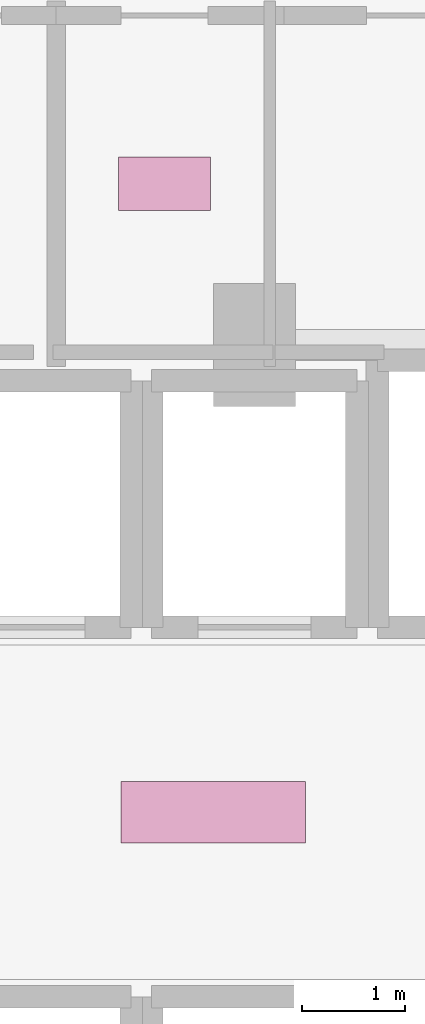
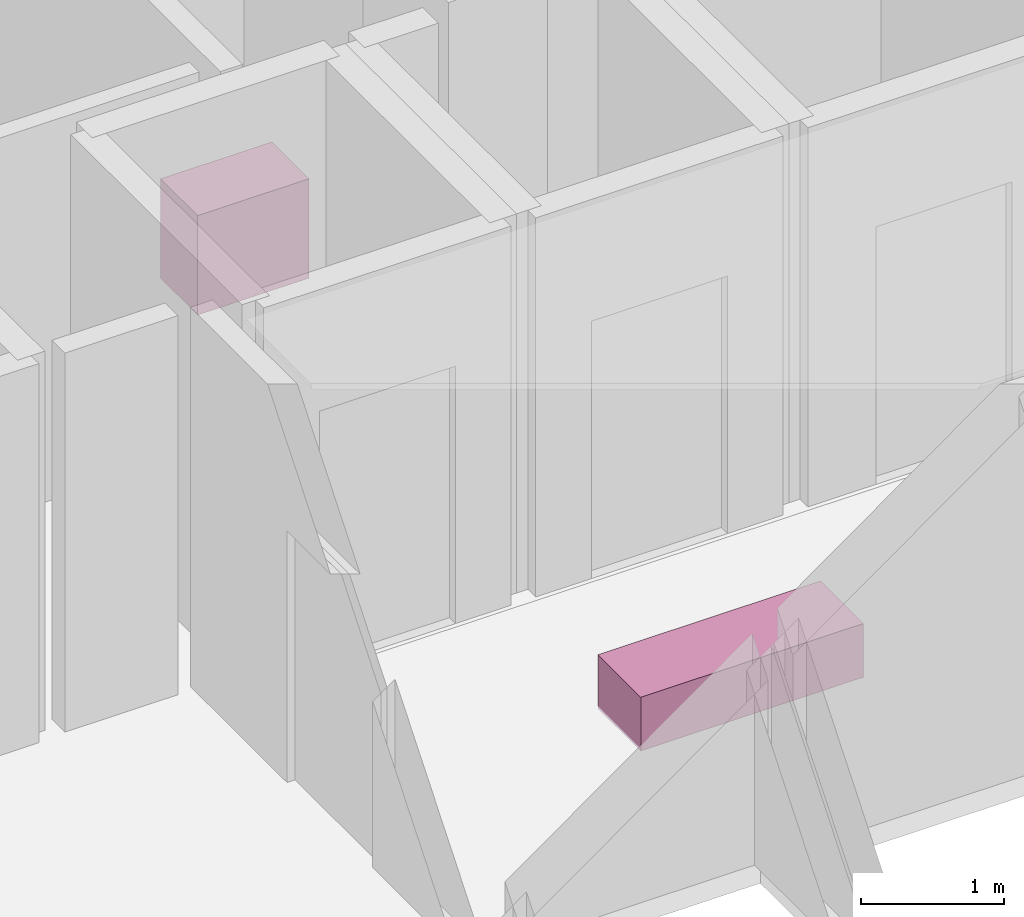
# One storey, part 30 of 30: 2 furnishings.
"""IFC4 building model written with IfcOpenShell, lengths in metres."""

from ifc_helpers import new_model, si_unit, direction, frame, origin, origin_2d, place, context, subcontext, project, spatial, rectangle, extrude, material, type_object, element, save


model = new_model("IFC4")

# Units and contexts
model_context = context("Model", 3, precision=1e-05, world=origin(), true_north=direction((0.0, 1.0)))
body_context = subcontext(model_context, "Body", "Model", "MODEL_VIEW")
ifc_project = project(units=[si_unit("LENGTHUNIT", "METRE"), si_unit("AREAUNIT", "SQUARE_METRE"), si_unit("VOLUMEUNIT", "CUBIC_METRE"), si_unit("PLANEANGLEUNIT", "RADIAN"), si_unit("MASSUNIT", "GRAM", prefix="KILO")], contexts=[model_context])

# Site, building, storey
site_placement = place(None, origin())
site = spatial("IfcSite", under=ifc_project, at=site_placement, CompositionType="ELEMENT")
building_placement = place(site_placement, origin())
building = spatial("IfcBuilding", under=site, at=building_placement, Name="Vorneva Point Tower", CompositionType="ELEMENT")
storey_placement = place(building_placement, frame((0.0, 0.0, 41.5)))
storey = spatial("IfcBuildingStorey", under=building, at=storey_placement, Name="L10", CompositionType="ELEMENT", Elevation=41.5)

# Furnishings
ifc_material_1 = material(Name="Engineered oak fire-rated door leaf", Category="wood")
furniture_type_1 = type_object("IfcFurnitureType", Name="FUR-BNC-1800", AssemblyPlace="NOTDEFINED", PredefinedType="NOTDEFINED", material=ifc_material_1)
furnishing_1_placement = place(storey_placement, frame((35.0, 26.0, -0.0048828125), z_axis=(0.0, 0.0, 1.0), x_axis=(1.0, 0.0, 0.0)))
element("IfcFurnishingElement", 1, at=furnishing_1_placement, inside=storey, type_object=furniture_type_1, Name="L10 Lift Lobby Seating Bench", ObjectType="L10 Lift Lobby Seating Bench", context=body_context, shape_type="SweptSolid", body=[
    extrude(rectangle(XDim=1.800048828125, YDim=0.60009765625, at=origin_2d()), origin(), (0.0, 0.0, 1.0), 0.4599609375),
])
ifc_material_2 = material(Name="Vitreous china and granite top", Category="masonry")
furniture_type_2 = type_object("IfcFurnitureType", Name="FUR-VAN-900", AssemblyPlace="NOTDEFINED", PredefinedType="NOTDEFINED", material=ifc_material_2)
furnishing_2_placement = place(storey_placement, frame((34.52490234375, 32.1201171875, -0.005126953125), z_axis=(0.0, 0.0, 1.0), x_axis=(1.0, 0.0, 0.0)))
element("IfcFurnishingElement", 2, at=furnishing_2_placement, inside=storey, type_object=furniture_type_2, Name="L10 Accessible WC Vanity Unit", ObjectType="L10 Accessible WC Vanity Unit", context=body_context, shape_type="SweptSolid", body=[
    extrude(rectangle(XDim=0.89990234375, YDim=0.52001953125, at=origin_2d()), origin(), (0.0, 0.0, 1.0), 0.85009765625),
])

save(model, "model.ifc")
